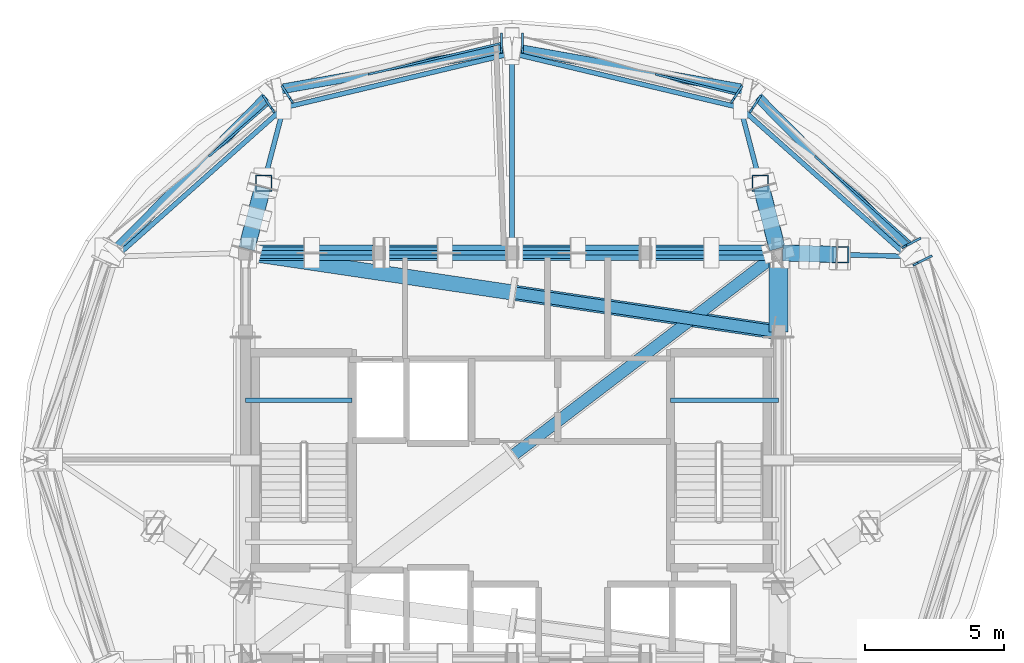
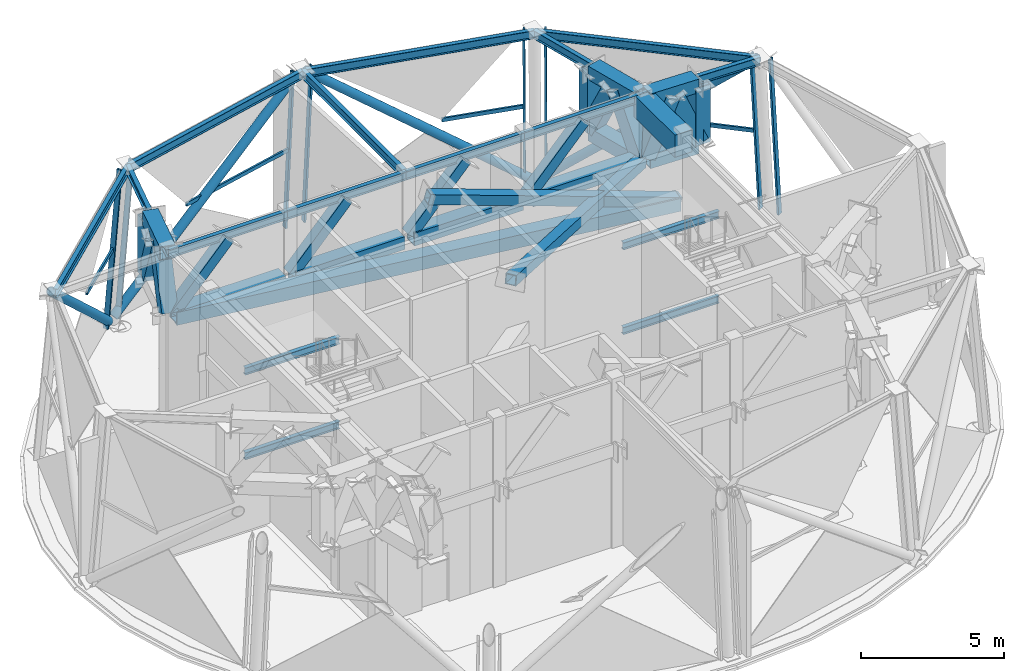
# One storey, part 3 of 12: 41 members, 17 beams, 5 elements without a shape of their own.
"""IFC4 building model written with IfcOpenShell, lengths in metres."""

from ifc_helpers import new_model, si_unit, direction, frame, origin, origin_2d, place, context, subcontext, project, spatial, rectangle, hollow_rectangle, hollow_circle, i_section, extrude, material, layer, layer_set, material_profile, profile_set, type_object, element, aggregate, save


model = new_model("IFC4")

# Units and contexts
model_context = context("Model", 3, precision=1e-05, world=origin(), true_north=direction((0.0, 1.0)))
body_context = subcontext(model_context, "Body", "Model", "MODEL_VIEW")
ifc_project = project(units=[si_unit("LENGTHUNIT", "METRE"), si_unit("AREAUNIT", "SQUARE_METRE"), si_unit("VOLUMEUNIT", "CUBIC_METRE"), si_unit("PLANEANGLEUNIT", "RADIAN"), si_unit("MASSUNIT", "GRAM", prefix="KILO")], contexts=[model_context])

# Site, building, storey
site_placement = place(None, origin())
site = spatial("IfcSite", under=ifc_project, at=site_placement, CompositionType="ELEMENT")
building_placement = place(site_placement, origin())
building = spatial("IfcBuilding", under=site, at=building_placement, Name="Vantalir Tower", CompositionType="ELEMENT")
storey_placement = place(building_placement, frame((0.0, 0.0, 304.5)))
storey = spatial("IfcBuildingStorey", under=building, at=storey_placement, Name="L76", CompositionType="ELEMENT", Elevation=304.5)

# Beams
ifc_material_1 = material(Name="Concrete C60/75", Category="concrete")
ifc_material_profile_1 = material_profile(ifc_material_1, rectangle(XDim=0.699951171875, YDim=0.949951171875, at=origin_2d()), Name="Concrete C60/75")
ifc_profile_set_1 = profile_set([ifc_material_profile_1], Name="Concrete C60/75")
beam_type_1 = type_object("IfcBeamType", Name="BM-CB-700x950", PredefinedType="USERDEFINED", material=ifc_profile_set_1)
beam_1_placement = place(storey_placement, frame((41.10009765625, 29.60009765625, 6.594970703125), z_axis=(0.0, 1.0, 0.0), x_axis=(-1.0, 0.0, 0.0)))
element("IfcBeam", 1, at=beam_1_placement, inside=storey, type_object=beam_type_1, Name="L76 Core Coupling Girder 07", ObjectType="GIRDER", PredefinedType="USERDEFINED", context=body_context, shape_type="SweptSolid", body=[
    extrude(rectangle(XDim=0.699951171875, YDim=0.949951171875, at=origin_2d()), origin(), (0.0, 0.0, 1.0), 2.849853515625),
])
ifc_material_2 = material(Name="Steel S355", Category="steel")
ifc_material_profile_2 = material_profile(ifc_material_2, i_section(OverallWidth=0.166015625, OverallDepth=0.306884765625, WebThickness=0.006591796875, FlangeThickness=0.01171875, at=origin_2d()), Name="Steel S355")
ifc_profile_set_2 = profile_set([ifc_material_profile_2], Name="Steel S355")
beam_type_2 = type_object("IfcBeamType", Name="BM-JS-305x165", PredefinedType="JOIST", material=ifc_profile_set_2)
for number, where, z_axis, x_axis, name in (
    (2, (21.89990234375, 27.14501953125, 1.458984375), (1.0, 0.0, 0.0), (0.0, 1.0, 0.0), "L76 Stair ST1 Half-Landing Support Beam"),
    (3, (21.89990234375, 27.14501953125, 5.083984375), (1.0, 0.0, 0.0), (0.0, 1.0, 0.0), "L76 Stair ST1 Half-Landing Support Beam"),
):
    element("IfcBeam", number, at=place(storey_placement, frame(where, z_axis=z_axis, x_axis=x_axis)), inside=storey, type_object=beam_type_2, Name=name, PredefinedType="JOIST", context=body_context, shape_type="SweptSolid", body=[
        extrude(i_section(OverallWidth=0.166015625, OverallDepth=0.306884765625, WebThickness=0.006591796875, FlangeThickness=0.01171875, at=origin_2d()), origin(), (0.0, 0.0, 1.0), 3.840087890625),
    ])
for number, where, z_axis, x_axis, name in (
    (4, (37.2099609375, 27.14501953125, 1.458984375), (1.0, 0.0, 0.0), (0.0, 1.0, 0.0), "L76 Stair ST2 Half-Landing Support Beam"),
    (5, (37.2099609375, 27.14501953125, 5.083984375), (1.0, 0.0, 0.0), (0.0, 1.0, 0.0), "L76 Stair ST2 Half-Landing Support Beam"),
):
    element("IfcBeam", number, at=place(storey_placement, frame(where, z_axis=z_axis, x_axis=x_axis)), inside=storey, type_object=beam_type_2, Name=name, PredefinedType="JOIST", context=body_context, shape_type="SweptSolid", body=[
        extrude(i_section(OverallWidth=0.166015625, OverallDepth=0.306884765625, WebThickness=0.006591796875, FlangeThickness=0.01171875, at=origin_2d()), origin(), (0.0, 0.0, 1.0), 3.89013671875),
    ])
ifc_material_3 = material(Name="Steel S460", Category="steel")
ifc_material_profile_3 = material_profile(ifc_material_3, i_section(OverallWidth=0.172119140625, OverallDepth=0.35791015625, WebThickness=0.008056640625, FlangeThickness=0.012939453125, at=origin_2d()), Name="Steel S460")
ifc_profile_set_3 = profile_set([ifc_material_profile_3], Name="Steel S460")
beam_type_3 = type_object("IfcBeamType", Name="BM-RB-356x171", PredefinedType="BEAM", material=ifc_profile_set_3)
for number, where, z_axis, x_axis, name in (
    (6, (41.10009765625, 32.449951171875, 6.89111328125), (-1.0, 0.0, 0.0), (0.0, -1.0, 0.0), "L76 Core Coupling Girder 08"),
    (7, (36.300048828125, 32.449951171875, 6.89111328125), (-1.0, 0.0, 0.0), (0.0, -1.0, 0.0), "L76 Core Coupling Girder 09"),
    (8, (31.5, 32.449951171875, 6.89111328125), (-1.0, 0.0, 0.0), (0.0, -1.0, 0.0), "L76 Core Coupling Girder 10"),
    (9, (26.699951171875, 32.449951171875, 6.89111328125), (-1.0, 0.0, 0.0), (0.0, -1.0, 0.0), "L76 Core Coupling Girder 11"),
):
    element("IfcBeam", number, at=place(storey_placement, frame(where, z_axis=z_axis, x_axis=x_axis)), inside=storey, type_object=beam_type_3, Name=name, PredefinedType="BEAM", context=body_context, shape_type="SweptSolid", body=[
        extrude(i_section(OverallWidth=0.172119140625, OverallDepth=0.35791015625, WebThickness=0.008056640625, FlangeThickness=0.012939453125, at=origin_2d()), origin(), (0.0, 0.0, 1.0), 4.800048828125),
    ])
beam_2_placement = place(storey_placement, frame((45.757080078125, 32.320068359375, 6.89111328125), z_axis=(-0.74721217047, 0.664585564319, 0.0), x_axis=(-0.664585564319, -0.74721217047, 0.0)))
element("IfcBeam", 10, at=beam_2_placement, inside=storey, type_object=beam_type_3, Name="L76 Circumferential Ring Girder 02", PredefinedType="BEAM", context=body_context, shape_type="SweptSolid", body=[
    extrude(i_section(OverallWidth=0.172119140625, OverallDepth=0.35791015625, WebThickness=0.008056640625, FlangeThickness=0.012939453125, at=origin_2d()), origin(), (0.0, 0.0, 1.0), 8.0634765625),
])
beam_3_placement = place(storey_placement, frame((45.757080078125, 32.320068359375, 6.89111328125), z_axis=(-0.999611303254, 0.02787906754, 0.0), x_axis=(-0.02787906754, -0.999611303254, 0.0)))
element("IfcBeam", 11, at=beam_3_placement, inside=storey, type_object=beam_type_3, Name="L76 Radial Floor Beam 02", PredefinedType="BEAM", context=body_context, shape_type="SweptSolid", body=[
    extrude(i_section(OverallWidth=0.172119140625, OverallDepth=0.35791015625, WebThickness=0.008056640625, FlangeThickness=0.012939453125, at=origin_2d()), origin(), (0.0, 0.0, 1.0), 4.65869140625),
])
beam_4_placement = place(storey_placement, frame((39.73193359375, 37.678955078125, 6.89111328125), z_axis=(-0.972780825365, 0.231727136525, 0.0), x_axis=(-0.231727136525, -0.972780825365, 0.0)))
element("IfcBeam", 12, at=beam_4_placement, inside=storey, type_object=beam_type_3, Name="L76 Circumferential Ring Girder 03", PredefinedType="BEAM", context=body_context, shape_type="SweptSolid", body=[
    extrude(i_section(OverallWidth=0.172119140625, OverallDepth=0.35791015625, WebThickness=0.008056640625, FlangeThickness=0.012939453125, at=origin_2d()), origin(), (0.0, 0.0, 1.0), 8.462158203125),
])
beam_5_placement = place(storey_placement, frame((39.73193359375, 37.678955078125, 6.89111328125), z_axis=(0.253127907675, -0.967432820591, 0.0), x_axis=(0.967432820591, 0.253127907675, 0.0)))
element("IfcBeam", 13, at=beam_5_placement, inside=storey, type_object=beam_type_3, Name="L76 Radial Floor Beam 03", PredefinedType="BEAM", context=body_context, shape_type="SweptSolid", body=[
    extrude(i_section(OverallWidth=0.172119140625, OverallDepth=0.35791015625, WebThickness=0.008056640625, FlangeThickness=0.012939453125, at=origin_2d()), origin(), (0.0, 0.0, 1.0), 5.405029296875),
])
beam_6_placement = place(storey_placement, frame((31.5, 39.639892578125, 6.89111328125), z_axis=(-0.972774627529, -0.231753153239, 0.0), x_axis=(0.231753153239, -0.972774627529, 0.0)))
element("IfcBeam", 14, at=beam_6_placement, inside=storey, type_object=beam_type_3, Name="L76 Circumferential Ring Girder 04", PredefinedType="BEAM", context=body_context, shape_type="SweptSolid", body=[
    extrude(i_section(OverallWidth=0.172119140625, OverallDepth=0.35791015625, WebThickness=0.008056640625, FlangeThickness=0.012939453125, at=origin_2d()), origin(), (0.0, 0.0, 1.0), 8.46142578125),
])
beam_7_placement = place(storey_placement, frame((31.5, 39.639892578125, 6.89111328125), z_axis=(0.0, -1.0, 0.0), x_axis=(1.0, 0.0, 0.0)))
element("IfcBeam", 15, at=beam_7_placement, inside=storey, type_object=beam_type_3, Name="L76 Radial Floor Beam 04", PredefinedType="BEAM", context=body_context, shape_type="SweptSolid", body=[
    extrude(i_section(OverallWidth=0.172119140625, OverallDepth=0.35791015625, WebThickness=0.008056640625, FlangeThickness=0.012939453125, at=origin_2d()), origin(), (0.0, 0.0, 1.0), 7.18994140625),
])
beam_8_placement = place(storey_placement, frame((23.26904296875, 37.678955078125, 6.89111328125), z_axis=(-0.747265653897, -0.66452542653, 0.0), x_axis=(0.66452542653, -0.747265653897, 0.0)))
element("IfcBeam", 16, at=beam_8_placement, inside=storey, type_object=beam_type_3, Name="L76 Circumferential Ring Girder 05", PredefinedType="BEAM", context=body_context, shape_type="SweptSolid", body=[
    extrude(i_section(OverallWidth=0.172119140625, OverallDepth=0.35791015625, WebThickness=0.008056640625, FlangeThickness=0.012939453125, at=origin_2d()), origin(), (0.0, 0.0, 1.0), 8.064208984375),
])
beam_9_placement = place(storey_placement, frame((23.26904296875, 37.678955078125, 6.89111328125), z_axis=(-0.253296996042, -0.967388562986, 0.0), x_axis=(0.967388562986, -0.253296996042, 0.0)))
element("IfcBeam", 17, at=beam_9_placement, inside=storey, type_object=beam_type_3, Name="L76 Radial Floor Beam 05", PredefinedType="BEAM", context=body_context, shape_type="SweptSolid", body=[
    extrude(i_section(OverallWidth=0.172119140625, OverallDepth=0.35791015625, WebThickness=0.008056640625, FlangeThickness=0.012939453125, at=origin_2d()), origin(), (0.0, 0.0, 1.0), 5.4052734375),
])

# Curtain wall, member
ifc_material_4 = material(Name="Champagne-silver PVDF aluminium and double-silver Low-E glass", Category="aluminium")
ifc_layer = layer(ifc_material_4, 0.25)
ifc_layer_set = layer_set([ifc_layer], Name="Champagne-silver PVDF aluminium and double-silver Low-E glass")
curtain_wall_type = type_object("IfcCurtainWallType", Name="CW-CROWN-PT", PredefinedType="USERDEFINED", material=ifc_layer_set)
curtain_wall_1_placement = place(storey_placement, origin())
curtain_wall_1 = element("IfcCurtainWall", 18, at=curtain_wall_1_placement, inside=storey, type_object=curtain_wall_type, Name="L76 Quilted Pyramid-Diamond Curtain Wall S01", ObjectType="UNITISED CURTAIN WALL", PredefinedType="USERDEFINED")
ifc_material_5 = material(Name="Champagne-silver PVDF aluminium 6063-T6", Category="aluminium")
ifc_material_profile_4 = material_profile(ifc_material_5, hollow_rectangle(XDim=0.080078125, YDim=0.199951171875, WallThickness=0.0048828125, at=origin_2d()), Name="Champagne-silver PVDF aluminium 6063-T6")
ifc_profile_set_4 = profile_set([ifc_material_profile_4], Name="Champagne-silver PVDF aluminium 6063-T6")
member_type_1 = type_object("IfcMemberType", Name="CWM-200x80", PredefinedType="MULLION", material=ifc_profile_set_4)
member_1_placement = place(storey_placement, frame((46.5419921875, 32.303955078125, 0.044921875), z_axis=(-0.072544830154, -0.037405383352, 0.996663476262), x_axis=(0.4582838613, -0.888805885709, 0.0)))
member_1 = element("IfcMember", 19, at=member_1_placement, type_object=member_type_1, Name="CW-L76-S01 Mullion 2", PredefinedType="MULLION", context=body_context, shape_type="SweptSolid", body=[
    extrude(hollow_rectangle(XDim=0.080078125, YDim=0.199951171875, WallThickness=0.0048828125, at=origin_2d()), origin(), (0.0, 0.0, 1.0), 7.00341796875),
])
aggregate(curtain_wall_1, [member_1])

# Curtain wall, members
curtain_wall_2_placement = place(storey_placement, origin())
curtain_wall_2 = element("IfcCurtainWall", 20, at=curtain_wall_2_placement, inside=storey, type_object=curtain_wall_type, Name="L76 Quilted Pyramid-Diamond Curtain Wall S02", ObjectType="UNITISED CURTAIN WALL", PredefinedType="USERDEFINED")
member_2_placement = place(storey_placement, frame((46.138916015625, 32.93603515625, 0.044921875), z_axis=(-0.072510152923, -0.037405477926, 0.996665996181), x_axis=(0.458457889365, -0.888716132226, 0.0)))
member_2 = element("IfcMember", 21, at=member_2_placement, type_object=member_type_1, Name="CW-L76-S02 Mullion 1", PredefinedType="MULLION", context=body_context, shape_type="SweptSolid", body=[
    extrude(hollow_rectangle(XDim=0.080078125, YDim=0.199951171875, WallThickness=0.0048828125, at=origin_2d()), origin(), (0.0, 0.0, 1.0), 7.00341796875),
])
member_3_placement = place(storey_placement, frame((40.410888671875, 38.0380859375, 0.044921875), z_axis=(-0.041847483716, -0.06486359976, 0.997016299532), x_axis=(0.840296648224, -0.542126869822, 0.0)))
member_3 = element("IfcMember", 22, at=member_3_placement, type_object=member_type_1, Name="CW-L76-S02 Mullion 2", PredefinedType="MULLION", context=body_context, shape_type="SweptSolid", body=[
    extrude(hollow_rectangle(XDim=0.080078125, YDim=0.199951171875, WallThickness=0.0048828125, at=origin_2d()), origin(), (0.0, 0.0, 1.0), 7.0009765625),
])

curtain_wall_3_placement = place(storey_placement, origin())
curtain_wall_3 = element("IfcCurtainWall", 23, at=curtain_wall_3_placement, inside=storey, type_object=curtain_wall_type, Name="L76 Quilted Pyramid-Diamond Curtain Wall S03", ObjectType="UNITISED CURTAIN WALL", PredefinedType="USERDEFINED")
member_4_placement = place(storey_placement, frame((39.740966796875, 38.387939453125, 0.044921875), z_axis=(-0.041847578349, -0.064828873459, 0.997018554167), x_axis=(0.840163795979, -0.542332735436, 0.0)))
member_4 = element("IfcMember", 24, at=member_4_placement, type_object=member_type_1, Name="CW-L76-S03 Mullion 1", PredefinedType="MULLION", context=body_context, shape_type="SweptSolid", body=[
    extrude(hollow_rectangle(XDim=0.080078125, YDim=0.199951171875, WallThickness=0.0048828125, at=origin_2d()), origin(), (0.0, 0.0, 1.0), 7.000732421875),
])
member_5_placement = place(storey_placement, frame((31.87890625, 40.262939453125, 0.044921875), z_axis=(0.0, -0.074850645186, 0.99719475576), x_axis=(1.0, 0.0, 0.0)))
member_5 = element("IfcMember", 25, at=member_5_placement, type_object=member_type_1, Name="CW-L76-S03 Mullion 2", PredefinedType="MULLION", context=body_context, shape_type="SweptSolid", body=[
    extrude(hollow_rectangle(XDim=0.080078125, YDim=0.199951171875, WallThickness=0.0048828125, at=origin_2d()), origin(), (0.0, 0.0, 1.0), 6.99951171875),
])

curtain_wall_4_placement = place(storey_placement, origin())
curtain_wall_4 = element("IfcCurtainWall", 26, at=curtain_wall_4_placement, inside=storey, type_object=curtain_wall_type, Name="L76 Quilted Pyramid-Diamond Curtain Wall S04", ObjectType="UNITISED CURTAIN WALL", PredefinedType="USERDEFINED")
member_6_placement = place(storey_placement, frame((31.12109375, 40.262939453125, 0.044921875), z_axis=(0.0, -0.074850645186, 0.99719475576), x_axis=(1.0, 0.0, 0.0)))
member_6 = element("IfcMember", 27, at=member_6_placement, type_object=member_type_1, Name="CW-L76-S04 Mullion 1", PredefinedType="MULLION", context=body_context, shape_type="SweptSolid", body=[
    extrude(hollow_rectangle(XDim=0.080078125, YDim=0.199951171875, WallThickness=0.0048828125, at=origin_2d()), origin(), (0.0, 0.0, 1.0), 6.99951171875),
])
member_7_placement = place(storey_placement, frame((23.259033203125, 38.387939453125, 0.044921875), z_axis=(0.041986824775, -0.0648284944, 0.997012724522), x_axis=(0.839339926536, 0.54360692391, 0.0)))
member_7 = element("IfcMember", 28, at=member_7_placement, type_object=member_type_1, Name="CW-L76-S04 Mullion 2", PredefinedType="MULLION", context=body_context, shape_type="SweptSolid", body=[
    extrude(hollow_rectangle(XDim=0.080078125, YDim=0.199951171875, WallThickness=0.0048828125, at=origin_2d()), origin(), (0.0, 0.0, 1.0), 7.0009765625),
])

# Curtain wall, member
curtain_wall_5_placement = place(storey_placement, origin())
curtain_wall_5 = element("IfcCurtainWall", 29, at=curtain_wall_5_placement, inside=storey, type_object=curtain_wall_type, Name="L76 Quilted Pyramid-Diamond Curtain Wall S05", ObjectType="UNITISED CURTAIN WALL", PredefinedType="USERDEFINED")
member_8_placement = place(storey_placement, frame((22.589111328125, 38.0380859375, 0.044921875), z_axis=(0.041986729828, -0.064863220499, 0.997010469927), x_axis=(0.839473273036, 0.54340097889, 0.0)))
member_8 = element("IfcMember", 30, at=member_8_placement, type_object=member_type_1, Name="CW-L76-S05 Mullion 1", PredefinedType="MULLION", context=body_context, shape_type="SweptSolid", body=[
    extrude(hollow_rectangle(XDim=0.080078125, YDim=0.199951171875, WallThickness=0.0048828125, at=origin_2d()), origin(), (0.0, 0.0, 1.0), 7.0009765625),
])

# Member
ifc_material_profile_5 = material_profile(ifc_material_5, hollow_rectangle(XDim=0.074951171875, YDim=0.159912109375, WallThickness=0.00390625, at=origin_2d()), Name="Champagne-silver PVDF aluminium 6063-T6")
ifc_profile_set_5 = profile_set([ifc_material_profile_5], Name="Champagne-silver PVDF aluminium 6063-T6")
member_type_2 = type_object("IfcMemberType", Name="CWT-160x75", PredefinedType="USERDEFINED", material=ifc_profile_set_5)
member_9_placement = place(storey_placement, frame((45.885009765625, 32.804931640625, 3.534912109375), z_axis=(-0.743307155619, 0.668950276482, 0.0), x_axis=(-0.668950276482, -0.743307155619, 0.0)))
member_9 = element("IfcMember", 31, at=member_9_placement, type_object=member_type_2, Name="CW-L76-S02 Pyramid Fold Ridge Transom", ObjectType="TRANSOM", PredefinedType="USERDEFINED", context=body_context, shape_type="SweptSolid", body=[
    extrude(hollow_rectangle(XDim=0.074951171875, YDim=0.159912109375, WallThickness=0.00390625, at=origin_2d()), origin(), (0.0, 0.0, 1.0), 4.665771484375),
])

aggregate(curtain_wall_2, [member_2, member_3, member_9])

member_10_placement = place(storey_placement, frame((39.593994140625, 38.160888671875, 3.534912109375), z_axis=(-0.970811285647, 0.239844632335, 0.0), x_axis=(-0.239844632335, -0.970811285647, 0.0)))
member_10 = element("IfcMember", 32, at=member_10_placement, type_object=member_type_2, Name="CW-L76-S03 Pyramid Fold Ridge Transom", ObjectType="TRANSOM", PredefinedType="USERDEFINED", context=body_context, shape_type="SweptSolid", body=[
    extrude(hollow_rectangle(XDim=0.074951171875, YDim=0.159912109375, WallThickness=0.00390625, at=origin_2d()), origin(), (0.0, 0.0, 1.0), 3.010986328125),
])

aggregate(curtain_wall_3, [member_4, member_5, member_10])

member_11_placement = place(storey_placement, frame((31.12109375, 40.0009765625, 3.534912109375), z_axis=(-0.973850724167, -0.227188835641, 0.0), x_axis=(0.227188835641, -0.973850724167, 0.0)))
member_11 = element("IfcMember", 33, at=member_11_placement, type_object=member_type_2, Name="CW-L76-S04 Pyramid Fold Ridge Transom", ObjectType="TRANSOM", PredefinedType="USERDEFINED", context=body_context, shape_type="SweptSolid", body=[
    extrude(hollow_rectangle(XDim=0.074951171875, YDim=0.159912109375, WallThickness=0.00390625, at=origin_2d()), origin(), (0.0, 0.0, 1.0), 4.920654296875),
])

aggregate(curtain_wall_4, [member_6, member_7, member_11])

member_12_placement = place(storey_placement, frame((22.736083984375, 37.81103515625, 3.534912109375), z_axis=(-0.752391690334, -0.658715981525, 0.0), x_axis=(0.658715981525, -0.752391690334, 0.0)))
member_12 = element("IfcMember", 34, at=member_12_placement, type_object=member_type_2, Name="CW-L76-S05 Pyramid Fold Ridge Transom", ObjectType="TRANSOM", PredefinedType="USERDEFINED", context=body_context, shape_type="SweptSolid", body=[
    extrude(hollow_rectangle(XDim=0.074951171875, YDim=0.159912109375, WallThickness=0.00390625, at=origin_2d()), origin(), (0.0, 0.0, 1.0), 2.861572265625),
])

aggregate(curtain_wall_5, [member_8, member_12])

# Members
ifc_material_profile_6 = material_profile(ifc_material_3, hollow_rectangle(XDim=0.419921875, YDim=0.419921875, WallThickness=0.030029296875, at=origin_2d()), Name="Steel S460")
ifc_profile_set_6 = profile_set([ifc_material_profile_6], Name="Steel S460")
member_type_3 = type_object("IfcMemberType", Name="MEM-BT-420x30", PredefinedType="BRACE", material=ifc_profile_set_6)
member_13_placement = place(storey_placement, frame((40.927978515625, 29.6259765625, 4.2470703125), z_axis=(-0.95498169663, 0.141731015986, 0.26061902887), x_axis=(-0.146804320253, -0.989165553158, 0.0)))
element("IfcMember", 35, at=member_13_placement, inside=storey, type_object=member_type_3, Name="L76 Belt Truss Web Diagonal 09A", PredefinedType="BRACE", context=body_context, shape_type="SweptSolid", body=[
    extrude(hollow_rectangle(XDim=0.419921875, YDim=0.419921875, WallThickness=0.030029296875, at=origin_2d()), origin(), (0.0, 0.0, 1.0), 9.822021484375),
])
member_14_placement = place(storey_placement, frame((22.02197265625, 32.449951171875, 4.3330078125), z_axis=(0.675455053523, 0.0, 0.737401159933), x_axis=(0.0, 1.0, 0.0)))
element("IfcMember", 36, at=member_14_placement, inside=storey, type_object=member_type_3, Name="L76 Belt Truss Web Diagonal 10A", PredefinedType="BRACE", context=body_context, shape_type="SweptSolid", body=[
    extrude(hollow_rectangle(XDim=0.419921875, YDim=0.419921875, WallThickness=0.030029296875, at=origin_2d()), origin(), (0.0, 0.0, 1.0), 3.322509765625),
])
for number, where, z_axis, x_axis, name in (
    (37, (26.822021484375, 32.449951171875, 4.3330078125), (0.675415093438, 0.0, 0.737437761141), (0.0, 1.0, 0.0), "L76 Belt Truss Web Diagonal 11A"),
    (38, (31.6220703125, 32.449951171875, 4.3330078125), (0.675415093438, 0.0, 0.737437761141), (0.0, 1.0, 0.0), "L76 Belt Truss Web Diagonal 12A"),
    (39, (36.422119140625, 32.449951171875, 4.3330078125), (0.675415093438, 0.0, 0.737437761141), (0.0, 1.0, 0.0), "L76 Belt Truss Web Diagonal 13A"),
):
    element("IfcMember", number, at=place(storey_placement, frame(where, z_axis=z_axis, x_axis=x_axis)), inside=storey, type_object=member_type_3, Name=name, PredefinedType="BRACE", context=body_context, shape_type="SweptSolid", body=[
        extrude(hollow_rectangle(XDim=0.419921875, YDim=0.419921875, WallThickness=0.030029296875, at=origin_2d()), origin(), (0.0, 0.0, 1.0), 3.322265625),
    ])
member_15_placement = place(storey_placement, frame((40.9599609375, 32.343017578125, 4.238037109375), z_axis=(-0.776941283746, -0.592793233027, 0.212034017289), x_axis=(0.606585603024, -0.795018179794, 0.0)))
element("IfcMember", 40, at=member_15_placement, inside=storey, type_object=member_type_3, Name="L76 Belt Truss Web Diagonal 14A", PredefinedType="BRACE", context=body_context, shape_type="SweptSolid", body=[
    extrude(hollow_rectangle(XDim=0.419921875, YDim=0.419921875, WallThickness=0.030029296875, at=origin_2d()), origin(), (0.0, 0.0, 1.0), 12.125732421875),
])
ifc_material_profile_7 = material_profile(ifc_material_3, hollow_rectangle(XDim=0.550048828125, YDim=0.550048828125, WallThickness=0.035888671875, at=origin_2d()), Name="Steel S460")
ifc_profile_set_7 = profile_set([ifc_material_profile_7], Name="Steel S460")
member_type_4 = type_object("IfcMemberType", Name="MEM-CH-550x36", PredefinedType="CHORD", material=ifc_profile_set_7)
member_16_placement = place(storey_placement, frame((40.902099609375, 29.62890625, 4.199951171875), z_axis=(-0.989156247202, 0.146867009984, 0.0), x_axis=(-0.146867009984, -0.989156247202, 0.0)))
element("IfcMember", 41, at=member_16_placement, inside=storey, type_object=member_type_4, Name="L76 Belt Truss Bottom Chord 09", PredefinedType="CHORD", context=body_context, shape_type="SweptSolid", body=[
    extrude(hollow_rectangle(XDim=0.550048828125, YDim=0.550048828125, WallThickness=0.035888671875, at=origin_2d()), origin(), (0.0, 0.0, 1.0), 19.01025390625),
])
member_17_placement = place(storey_placement, frame((22.10009765625, 32.449951171875, 4.199951171875), z_axis=(1.0, 0.0, 0.0), x_axis=(0.0, 1.0, 0.0)))
element("IfcMember", 42, at=member_17_placement, inside=storey, type_object=member_type_4, Name="L76 Belt Truss Bottom Chord 10", PredefinedType="CHORD", context=body_context, shape_type="SweptSolid", body=[
    extrude(hollow_rectangle(XDim=0.550048828125, YDim=0.550048828125, WallThickness=0.035888671875, at=origin_2d()), origin(), (0.0, 0.0, 1.0), 4.39990234375),
])
for number, where, z_axis, x_axis, name in (
    (43, (26.89990234375, 32.449951171875, 4.199951171875), (1.0, 0.0, 0.0), (0.0, 1.0, 0.0), "L76 Belt Truss Bottom Chord 11"),
    (44, (31.699951171875, 32.449951171875, 4.199951171875), (1.0, 0.0, 0.0), (0.0, 1.0, 0.0), "L76 Belt Truss Bottom Chord 12"),
):
    element("IfcMember", number, at=place(storey_placement, frame(where, z_axis=z_axis, x_axis=x_axis)), inside=storey, type_object=member_type_4, Name=name, PredefinedType="CHORD", context=body_context, shape_type="SweptSolid", body=[
        extrude(hollow_rectangle(XDim=0.550048828125, YDim=0.550048828125, WallThickness=0.035888671875, at=origin_2d()), origin(), (0.0, 0.0, 1.0), 4.400146484375),
    ])
member_18_placement = place(storey_placement, frame((36.5, 32.449951171875, 4.199951171875), z_axis=(1.0, 0.0, 0.0), x_axis=(0.0, 1.0, 0.0)))
element("IfcMember", 45, at=member_18_placement, inside=storey, type_object=member_type_4, Name="L76 Belt Truss Bottom Chord 13", PredefinedType="CHORD", context=body_context, shape_type="SweptSolid", body=[
    extrude(hollow_rectangle(XDim=0.550048828125, YDim=0.550048828125, WallThickness=0.035888671875, at=origin_2d()), origin(), (0.0, 0.0, 1.0), 4.39990234375),
])
ifc_material_profile_8 = material_profile(ifc_material_3, hollow_rectangle(XDim=0.580078125, YDim=0.580078125, WallThickness=0.0380859375, at=origin_2d()), Name="Steel S460")
ifc_profile_set_8 = profile_set([ifc_material_profile_8], Name="Steel S460")
member_type_5 = type_object("IfcMemberType", Name="MEM-CH-580x38", PredefinedType="CHORD", material=ifc_profile_set_8)
for number, where, z_axis, x_axis, name in (
    (46, (41.25, 32.446044921875, 4.199951171875), (0.999611497988, -0.027872084413, 0.0), (0.027872084413, 0.999611497988, 0.0), "L76 Outrigger Truss Bottom Chord 02"),
    (47, (41.25, 32.446044921875, 6.820068359375), (0.999611497988, -0.027872084413, 0.0), (0.027872084413, 0.999611497988, 0.0), "L76 Outrigger Truss Top Chord 02"),
):
    element("IfcMember", number, at=place(storey_placement, frame(where, z_axis=z_axis, x_axis=x_axis)), inside=storey, type_object=member_type_5, Name=name, PredefinedType="CHORD", context=body_context, shape_type="SweptSolid", body=[
        extrude(hollow_rectangle(XDim=0.580078125, YDim=0.580078125, WallThickness=0.0380859375, at=origin_2d()), origin(), (0.0, 0.0, 1.0), 1.935791015625),
    ])
for number, where, z_axis, x_axis, name in (
    (48, (41.06201171875, 32.594970703125, 4.199951171875), (-0.253210046647, 0.967411325278, 0.0), (-0.967411325278, -0.253210046647, 0.0), "L76 Outrigger Truss Bottom Chord 03"),
    (49, (41.06201171875, 32.594970703125, 6.820068359375), (-0.253210046647, 0.967411325278, 0.0), (-0.967411325278, -0.253210046647, 0.0), "L76 Outrigger Truss Top Chord 03"),
    (50, (21.93798828125, 32.594970703125, 6.820068359375), (0.253210046647, 0.967411325278, 0.0), (-0.967411325278, 0.253210046647, 0.0), "L76 Outrigger Truss Top Chord 04"),
):
    element("IfcMember", number, at=place(storey_placement, frame(where, z_axis=z_axis, x_axis=x_axis)), inside=storey, type_object=member_type_5, Name=name, PredefinedType="CHORD", context=body_context, shape_type="SweptSolid", body=[
        extrude(hollow_rectangle(XDim=0.580078125, YDim=0.580078125, WallThickness=0.0380859375, at=origin_2d()), origin(), (0.0, 0.0, 1.0), 2.294677734375),
    ])
ifc_material_profile_9 = material_profile(ifc_material_3, hollow_circle(Radius=0.177490234375, WallThickness=0.02001953125, at=origin_2d()), Name="Steel S460")
ifc_profile_set_9 = profile_set([ifc_material_profile_9], Name="Steel S460")
member_type_6 = type_object("IfcMemberType", Name="MEM-DB-355x20", PredefinedType="BRACE", material=ifc_profile_set_9)
member_19_placement = place(storey_placement, frame((39.949951171875, 38.326904296875, 0.216064453125), z_axis=(-0.772818347018, 0.137496267313, 0.619553531979), x_axis=(-0.175164654269, -0.984539153053, 0.0)))
element("IfcMember", 51, at=member_19_placement, inside=storey, type_object=member_type_6, Name="L76 CROWN FRAME Diagrid Brace R07L", PredefinedType="BRACE", context=body_context, shape_type="SweptSolid", body=[
    extrude(hollow_circle(Radius=0.177490234375, WallThickness=0.02001953125, at=origin_2d()), origin(), (0.0, 0.0, 1.0), 10.714111328125),
])
for number, where, z_axis, x_axis, name in (
    (52, (40.239013671875, 38.177001953125, 0.220947265625), (0.538584937277, -0.546147340959, 0.641599054942), (0.712019198283, 0.702159996922, 0.0), "L76 CROWN FRAME Diagrid Brace R07R"),
    (53, (22.760986328125, 38.177001953125, 0.220947265625), (-0.538584937277, -0.546147340959, 0.641599054942), (0.712019198283, -0.702159996922, 0.0), "L76 CROWN FRAME Diagrid Brace R13L"),
):
    element("IfcMember", number, at=place(storey_placement, frame(where, z_axis=z_axis, x_axis=x_axis)), inside=storey, type_object=member_type_6, Name=name, PredefinedType="BRACE", context=body_context, shape_type="SweptSolid", body=[
        extrude(hollow_circle(Radius=0.177490234375, WallThickness=0.02001953125, at=origin_2d()), origin(), (0.0, 0.0, 1.0), 10.330810546875),
    ])
member_20_placement = place(storey_placement, frame((23.050048828125, 38.326904296875, 0.216064453125), z_axis=(0.772818347018, 0.137496267313, 0.619553531979), x_axis=(-0.175164654269, 0.984539153053, 0.0)))
element("IfcMember", 54, at=member_20_placement, inside=storey, type_object=member_type_6, Name="L76 CROWN FRAME Diagrid Brace R13R", PredefinedType="BRACE", context=body_context, shape_type="SweptSolid", body=[
    extrude(hollow_circle(Radius=0.177490234375, WallThickness=0.02001953125, at=origin_2d()), origin(), (0.0, 0.0, 1.0), 10.714111328125),
])
ifc_material_profile_10 = material_profile(ifc_material_3, hollow_rectangle(XDim=0.60009765625, YDim=0.60009765625, WallThickness=0.0400390625, at=origin_2d()), Name="Steel S460")
ifc_profile_set_10 = profile_set([ifc_material_profile_10], Name="Steel S460")
member_type_7 = type_object("IfcMemberType", Name="MEM-OR-600x40", PredefinedType="BRACE", material=ifc_profile_set_10)
for number, where, z_axis, x_axis, name in (
    (55, (41.158935546875, 32.447998046875, 4.337890625), (0.392055497542, -0.010887800584, 0.919877134538), (0.027760367007, 0.999614606748, 0.0), "L76 Outrigger Truss Diagonal 02A"),
    (56, (42.264892578125, 32.41796875, 6.7099609375), (0.392055497542, -0.010887800584, -0.919877134538), (0.027760367007, 0.999614606748, 0.0), "L76 Outrigger Truss Diagonal 02B"),
):
    element("IfcMember", number, at=place(storey_placement, frame(where, z_axis=z_axis, x_axis=x_axis)), inside=storey, type_object=member_type_7, Name=name, PredefinedType="BRACE", context=body_context, shape_type="SweptSolid", body=[
        extrude(hollow_rectangle(XDim=0.60009765625, YDim=0.60009765625, WallThickness=0.0400390625, at=origin_2d()), origin(), (0.0, 0.0, 1.0), 2.57861328125),
    ])
member_21_placement = place(storey_placement, frame((43.3349609375, 32.387939453125, 4.280029296875), z_axis=(0.0, 0.0, 1.0), x_axis=(1.0, 0.0, 0.0)))
element("IfcMember", 57, at=member_21_placement, inside=storey, type_object=member_type_7, Name="L76 Outrigger Truss Tip Post 02", PredefinedType="BRACE", context=body_context, shape_type="SweptSolid", body=[
    extrude(hollow_rectangle(XDim=0.60009765625, YDim=0.60009765625, WallThickness=0.0400390625, at=origin_2d()), origin(), (0.0, 0.0, 1.0), 2.4599609375),
])
member_22_placement = place(storey_placement, frame((41.0830078125, 32.513916015625, 4.333984375), z_axis=(-0.11234029694, 0.429303706407, 0.896146185256), x_axis=(-0.967425438192, -0.253156120881, 0.0)))
element("IfcMember", 58, at=member_22_placement, inside=storey, type_object=member_type_7, Name="L76 Outrigger Truss Diagonal 03A", PredefinedType="BRACE", context=body_context, shape_type="SweptSolid", body=[
    extrude(hollow_rectangle(XDim=0.60009765625, YDim=0.60009765625, WallThickness=0.0400390625, at=origin_2d()), origin(), (0.0, 0.0, 1.0), 2.653564453125),
])
member_23_placement = place(storey_placement, frame((40.758056640625, 33.757080078125, 6.7119140625), z_axis=(-0.112344734041, 0.429228652171, -0.896181580311), x_axis=(-0.967412146498, -0.253206909083, 0.0)))
element("IfcMember", 59, at=member_23_placement, inside=storey, type_object=member_type_7, Name="L76 Outrigger Truss Diagonal 03B", PredefinedType="BRACE", context=body_context, shape_type="SweptSolid", body=[
    extrude(hollow_rectangle(XDim=0.60009765625, YDim=0.60009765625, WallThickness=0.0400390625, at=origin_2d()), origin(), (0.0, 0.0, 1.0), 2.6533203125),
])
member_24_placement = place(storey_placement, frame((40.443115234375, 34.9599609375, 4.280029296875), z_axis=(0.0, 0.0, 1.0), x_axis=(1.0, 0.0, 0.0)))
element("IfcMember", 60, at=member_24_placement, inside=storey, type_object=member_type_7, Name="L76 Outrigger Truss Tip Post 03", PredefinedType="BRACE", context=body_context, shape_type="SweptSolid", body=[
    extrude(hollow_rectangle(XDim=0.60009765625, YDim=0.60009765625, WallThickness=0.0400390625, at=origin_2d()), origin(), (0.0, 0.0, 1.0), 2.4599609375),
])
member_25_placement = place(storey_placement, frame((21.9169921875, 32.513916015625, 4.333984375), z_axis=(0.11234029694, 0.429303706407, 0.896146185256), x_axis=(-0.967425438192, 0.253156120881, 0.0)))
element("IfcMember", 61, at=member_25_placement, inside=storey, type_object=member_type_7, Name="L76 Outrigger Truss Diagonal 04A", PredefinedType="BRACE", context=body_context, shape_type="SweptSolid", body=[
    extrude(hollow_rectangle(XDim=0.60009765625, YDim=0.60009765625, WallThickness=0.0400390625, at=origin_2d()), origin(), (0.0, 0.0, 1.0), 2.653564453125),
])
member_26_placement = place(storey_placement, frame((22.241943359375, 33.757080078125, 6.7119140625), z_axis=(0.112344734041, 0.429228652171, -0.896181580311), x_axis=(-0.967412146498, 0.253206909083, 0.0)))
element("IfcMember", 62, at=member_26_placement, inside=storey, type_object=member_type_7, Name="L76 Outrigger Truss Diagonal 04B", PredefinedType="BRACE", context=body_context, shape_type="SweptSolid", body=[
    extrude(hollow_rectangle(XDim=0.60009765625, YDim=0.60009765625, WallThickness=0.0400390625, at=origin_2d()), origin(), (0.0, 0.0, 1.0), 2.6533203125),
])
member_27_placement = place(storey_placement, frame((22.556884765625, 34.9599609375, 4.280029296875), z_axis=(0.0, 0.0, 1.0), x_axis=(1.0, 0.0, 0.0)))
element("IfcMember", 63, at=member_27_placement, inside=storey, type_object=member_type_7, Name="L76 Outrigger Truss Tip Post 04", PredefinedType="BRACE", context=body_context, shape_type="SweptSolid", body=[
    extrude(hollow_rectangle(XDim=0.60009765625, YDim=0.60009765625, WallThickness=0.0400390625, at=origin_2d()), origin(), (0.0, 0.0, 1.0), 2.4599609375),
])

save(model, "model.ifc")
